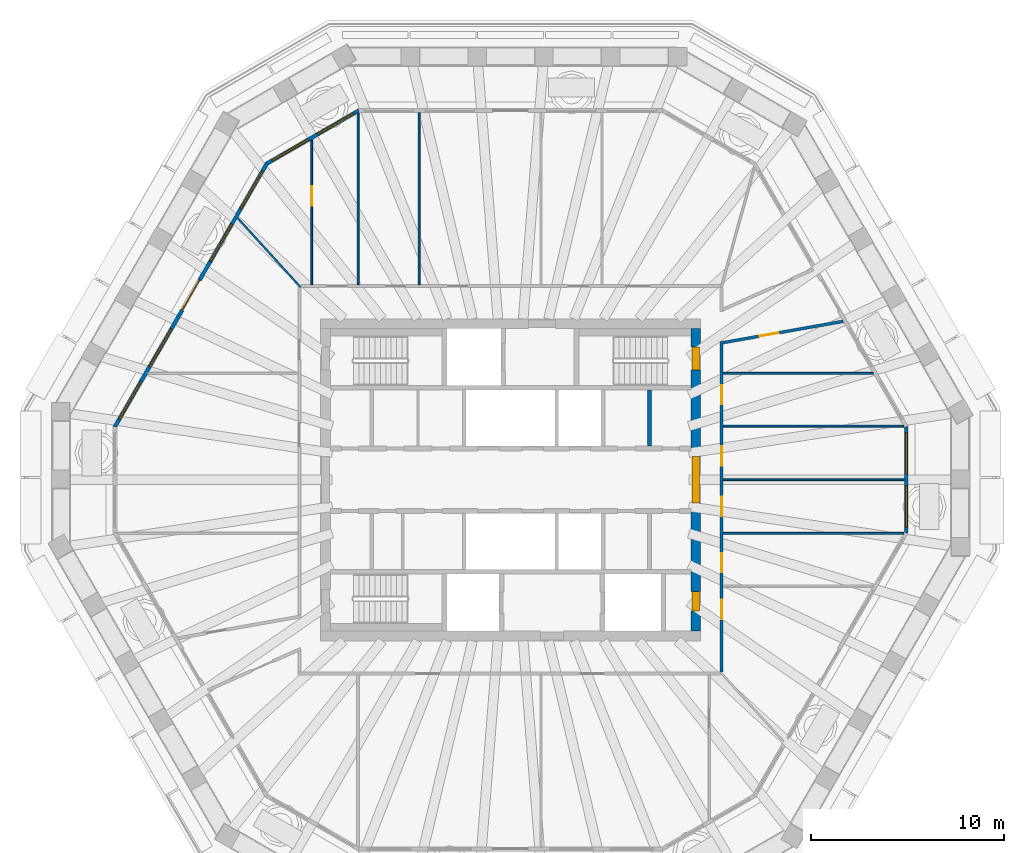
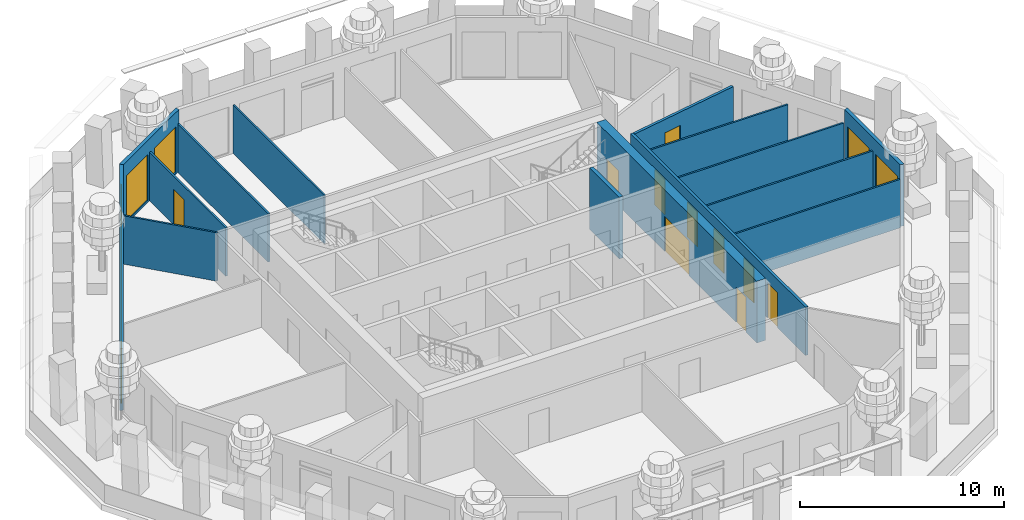
# One storey, part 6 of 13: 15 walls, 11 doors, 9 windows, 20 openings.
"""IFC4 building model written with IfcOpenShell, lengths in metres."""

from ifc_helpers import new_model, si_unit, direction, frame, frame_2d, origin, place, context, subcontext, project, spatial, polyline, rectangle, outline, extrude, material, layer, layer_set, type_object, element, fill, save


model = new_model("IFC4")

# Units and contexts
model_context = context("Model", 3, precision=1e-05, world=origin(), true_north=direction((0.0, 1.0)))
body_context = subcontext(model_context, "Body", "Model", "MODEL_VIEW")
ifc_project = project(units=[si_unit("LENGTHUNIT", "METRE"), si_unit("AREAUNIT", "SQUARE_METRE"), si_unit("VOLUMEUNIT", "CUBIC_METRE"), si_unit("PLANEANGLEUNIT", "RADIAN"), si_unit("MASSUNIT", "GRAM", prefix="KILO")], contexts=[model_context])

# Site, building, storey
site_placement = place(None, origin())
site = spatial("IfcSite", under=ifc_project, at=site_placement, CompositionType="ELEMENT")
building_placement = place(site_placement, origin())
building = spatial("IfcBuilding", under=site, at=building_placement, Name="Frailejon Research Tower", CompositionType="ELEMENT")
storey_placement = place(building_placement, frame((0.0, 0.0, 263.0)))
storey = spatial("IfcBuildingStorey", under=building, at=storey_placement, Name="L57", CompositionType="ELEMENT", Elevation=263.0)

# Wall, openings, doors
ifc_material_1 = material(Name="Concrete C50/60", Category="concrete")
ifc_layer_1 = layer(ifc_material_1, 0.5)
ifc_layer_set_1 = layer_set([ifc_layer_1], Name="Core shear wall 500 C50/60")
wall_type_1 = type_object("IfcWallType", Name="Core shear wall 500 C50/60", PredefinedType="SHEAR", material=ifc_layer_set_1)
wall_1_placement = place(storey_placement, frame((9.60009765625, -7.85009765625, 0.0), z_axis=(0.0, 0.0, 1.0), x_axis=(0.0, 1.0, 0.0)))
wall_1 = element("IfcWall", 1, at=wall_1_placement, inside=storey, type_object=wall_type_1, Name="Core shear wall", PredefinedType="SHEAR", context=body_context, shape_type="SweptSolid", body=[
    extrude(rectangle(XDim=15.7001953125, YDim=0.5, at=frame_2d((7.85009765625, 0.0))), origin(), (0.0, 0.0, 1.0), 3.699951171875),
])
opening_1_placement = place(wall_1_placement, frame((6.64990234375, 0.0, 0.0)))
opening_1 = element("IfcOpeningElement", 2, at=opening_1_placement, cuts=wall_1, Name="Opening D2", PredefinedType="OPENING", context=body_context, shape_type="SweptSolid", body=[
    extrude(rectangle(XDim=2.39990234375, YDim=2.10009765625, at=frame_2d((1.199951171875, 1.050048828125))), frame((0.0, 0.260009765625, 0.0), z_axis=(0.0, -1.0, 0.0), x_axis=(1.0, 0.0, 0.0)), (0.0, 0.0, 1.0), 0.52001953125),
])
opening_2_placement = place(wall_1_placement, frame((13.550048828125, 0.0, 0.0)))
opening_2 = element("IfcOpeningElement", 3, at=opening_2_placement, cuts=wall_1, Name="Opening D1", PredefinedType="OPENING", context=body_context, shape_type="SweptSolid", body=[
    extrude(rectangle(XDim=1.199951171875, YDim=2.10009765625, at=frame_2d((0.60009765625, 1.050048828125))), frame((0.0, 0.260009765625, 0.0), z_axis=(0.0, -1.0, 0.0), x_axis=(1.0, 0.0, 0.0)), (0.0, 0.0, 1.0), 0.52001953125),
])
opening_3_placement = place(wall_1_placement, frame((1.050048828125, 0.0, 0.0)))
opening_3 = element("IfcOpeningElement", 4, at=opening_3_placement, cuts=wall_1, Name="Opening D4", PredefinedType="OPENING", context=body_context, shape_type="SweptSolid", body=[
    extrude(rectangle(XDim=1.0, YDim=2.10009765625, at=frame_2d((0.5, 1.050048828125))), frame((0.0, 0.260009765625, 0.0), z_axis=(0.0, -1.0, 0.0), x_axis=(1.0, 0.0, 0.0)), (0.0, 0.0, 1.0), 0.52001953125),
])
ifc_material_2 = material(Name="Steel", Category="steel")
door_type_1 = type_object("IfcDoorType", Name="Lobby double door", OperationType="DOUBLE_DOOR_SINGLE_SWING", PredefinedType="DOOR", material=ifc_material_2)
door_1_placement = place(opening_1_placement, origin())
door_1 = element("IfcDoor", 5, at=door_1_placement, inside=storey, type_object=door_type_1, Name="Lobby door", OperationType="DOUBLE_DOOR_SINGLE_SWING", OverallHeight=2.10009765625, OverallWidth=2.39990234375, PredefinedType="DOOR", context=body_context, shape_type="SweptSolid", body=[
    extrude(rectangle(XDim=2.39990234375, YDim=2.10009765625, at=frame_2d((1.199951171875, 1.050048828125))), frame((0.0, 0.199951171875, 0.0), z_axis=(0.0, -1.0, 0.0), x_axis=(1.0, 0.0, 0.0)), (0.0, 0.0, 1.0), 0.39990234375),
])
fill(opening_1, door_1)
ifc_material_3 = material(Name="Steel", Category="steel")
door_type_2 = type_object("IfcDoorType", Name="Service door", OperationType="SINGLE_SWING_LEFT", PredefinedType="DOOR", material=ifc_material_3)
door_2_placement = place(opening_3_placement, origin())
door_2 = element("IfcDoor", 6, at=door_2_placement, inside=storey, type_object=door_type_2, Name="Riser door", OperationType="SINGLE_SWING_LEFT", OverallHeight=2.10009765625, OverallWidth=1.0, PredefinedType="DOOR", context=body_context, shape_type="SweptSolid", body=[
    extrude(rectangle(XDim=1.0, YDim=2.10009765625, at=frame_2d((0.5, 1.050048828125))), frame((0.0, 0.199951171875, 0.0), z_axis=(0.0, -1.0, 0.0), x_axis=(1.0, 0.0, 0.0)), (0.0, 0.0, 1.0), 0.39990234375),
])
fill(opening_3, door_2)
ifc_material_4 = material(Name="Steel", Category="steel")
door_type_3 = type_object("IfcDoorType", Name="Stair door", OperationType="SINGLE_SWING_LEFT", PredefinedType="DOOR", material=ifc_material_4)
door_3_placement = place(opening_2_placement, origin())
door_3 = element("IfcDoor", 7, at=door_3_placement, inside=storey, type_object=door_type_3, Name="Stair door ST3", OperationType="SINGLE_SWING_RIGHT", OverallHeight=2.10009765625, OverallWidth=1.199951171875, PredefinedType="DOOR", context=body_context, shape_type="SweptSolid", body=[
    extrude(rectangle(XDim=1.199951171875, YDim=2.10009765625, at=frame_2d((0.60009765625, 1.050048828125))), frame((0.0, 0.199951171875, 0.0), z_axis=(0.0, -1.0, 0.0), x_axis=(1.0, 0.0, 0.0)), (0.0, 0.0, 1.0), 0.39990234375),
])
fill(opening_2, door_3)

# Wall, opening, door
ifc_material_5 = material(Name="Gypsum board and masonry partition", Category="masonry")
ifc_layer_2 = layer(ifc_material_5, 0.14990234375)
ifc_layer_set_2 = layer_set([ifc_layer_2], Name="Corridor wall EI 60, gypsum on steel studs 150")
wall_type_2 = type_object("IfcWallType", Name="Corridor wall EI 60, gypsum on steel studs 150", PredefinedType="PARTITIONING", material=ifc_layer_set_2)
wall_2_placement = place(storey_placement, frame((11.023681640625, 7.113037109375, 0.0), z_axis=(0.0, 0.0, 1.0), x_axis=(0.984612128706, 0.174753987095, 0.0)))
wall_2 = element("IfcWall", 8, at=wall_2_placement, inside=storey, type_object=wall_type_2, Name="T:IW:L57:001", PredefinedType="PARTITIONING", context=body_context, shape_type="SweptSolid", body=[
    extrude(rectangle(XDim=6.325927734375, YDim=0.14990234375, at=frame_2d((3.1630859375, 0.0))), origin(), (0.0, 0.0, 1.0), 2.89990234375),
])
opening_4_placement = place(wall_2_placement, frame((1.920166015625, 0.0, 0.0)))
opening_4 = element("IfcOpeningElement", 9, at=opening_4_placement, cuts=wall_2, Name="Opening D2093", PredefinedType="OPENING", context=body_context, shape_type="SweptSolid", body=[
    extrude(rectangle(XDim=1.0, YDim=2.10009765625, at=frame_2d((0.5, 1.050048828125))), frame((0.0, 0.0849609375, 0.0), z_axis=(0.0, -1.0, 0.0), x_axis=(1.0, 0.0, 0.0)), (0.0, 0.0, 1.0), 0.169921875),
])
ifc_material_6 = material(Name="Timber door leaf", Category="wood")
door_type_4 = type_object("IfcDoorType", Name="Door single leaf, timber, steel frame 1000", OperationType="NOTDEFINED", PredefinedType="DOOR", material=ifc_material_6)
door_4_placement = place(opening_4_placement, origin())
door_4 = element("IfcDoor", 10, at=door_4_placement, inside=storey, type_object=door_type_4, Name="D2093", OperationType="SINGLE_SWING_RIGHT", OverallHeight=2.10009765625, OverallWidth=1.0, PredefinedType="DOOR", context=body_context, shape_type="SweptSolid", body=[
    extrude(rectangle(XDim=1.0, YDim=2.10009765625, at=frame_2d((0.5, 1.050048828125))), frame((0.0, 0.02490234375, 0.0), z_axis=(0.0, -1.0, 0.0), x_axis=(1.0, 0.0, 0.0)), (0.0, 0.0, 1.0), 0.050048828125),
])
fill(opening_4, door_4)

# Wall, openings, doors
wall_3_placement = place(storey_placement, frame((10.949951171875, -9.97509765625, 0.0), z_axis=(0.0, 0.0, 1.0), x_axis=(0.0, 1.0, 0.0)))
wall_3 = element("IfcWall", 11, at=wall_3_placement, inside=storey, type_object=wall_type_2, Name="T:IW:L57:003", PredefinedType="PARTITIONING", context=body_context, shape_type="SweptSolid", body=[
    extrude(rectangle(XDim=17.150146484375, YDim=0.14990234375, at=frame_2d((8.5751953125, 0.0))), origin(), (0.0, 0.0, 1.0), 2.89990234375),
])
opening_5_placement = place(wall_3_placement, frame((10.702392578125, 0.0, 0.0)))
opening_5 = element("IfcOpeningElement", 12, at=opening_5_placement, cuts=wall_3, Name="Opening D2091", PredefinedType="OPENING", context=body_context, shape_type="SweptSolid", body=[
    extrude(rectangle(XDim=1.0, YDim=2.10009765625, at=frame_2d((0.5, 1.050048828125))), frame((0.0, 0.0849609375, 0.0), z_axis=(0.0, -1.0, 0.0), x_axis=(1.0, 0.0, 0.0)), (0.0, 0.0, 1.0), 0.169921875),
])
opening_6_placement = place(wall_3_placement, frame((13.88232421875, 0.0, 0.0)))
opening_6 = element("IfcOpeningElement", 13, at=opening_6_placement, cuts=wall_3, Name="Opening D2092", PredefinedType="OPENING", context=body_context, shape_type="SweptSolid", body=[
    extrude(rectangle(XDim=1.0, YDim=2.10009765625, at=frame_2d((0.5, 1.050048828125))), frame((0.0, 0.0849609375, 0.0), z_axis=(0.0, -1.0, 0.0), x_axis=(1.0, 0.0, 0.0)), (0.0, 0.0, 1.0), 0.169921875),
])
opening_7_placement = place(wall_3_placement, frame((2.744384765625, 0.0, 0.0)))
opening_7 = element("IfcOpeningElement", 14, at=opening_7_placement, cuts=wall_3, Name="Opening D2108", PredefinedType="OPENING", context=body_context, shape_type="SweptSolid", body=[
    extrude(rectangle(XDim=1.0, YDim=2.10009765625, at=frame_2d((0.5, 1.050048828125))), frame((0.0, 0.0849609375, 0.0), z_axis=(0.0, -1.0, 0.0), x_axis=(1.0, 0.0, 0.0)), (0.0, 0.0, 1.0), 0.169921875),
])
opening_8_placement = place(wall_3_placement, frame((5.17138671875, 0.0, 0.0)))
opening_8 = element("IfcOpeningElement", 15, at=opening_8_placement, cuts=wall_3, Name="Opening D2109", PredefinedType="OPENING", context=body_context, shape_type="SweptSolid", body=[
    extrude(rectangle(XDim=1.0, YDim=2.10009765625, at=frame_2d((0.5, 1.050048828125))), frame((0.0, 0.0849609375, 0.0), z_axis=(0.0, -1.0, 0.0), x_axis=(1.0, 0.0, 0.0)), (0.0, 0.0, 1.0), 0.169921875),
])
opening_9_placement = place(wall_3_placement, frame((8.085693359375, 0.0, 0.0)))
opening_9 = element("IfcOpeningElement", 16, at=opening_9_placement, cuts=wall_3, Name="Opening D2110", PredefinedType="OPENING", context=body_context, shape_type="SweptSolid", body=[
    extrude(rectangle(XDim=1.0, YDim=2.10009765625, at=frame_2d((0.5, 1.050048828125))), frame((0.0, 0.0849609375, 0.0), z_axis=(0.0, -1.0, 0.0), x_axis=(1.0, 0.0, 0.0)), (0.0, 0.0, 1.0), 0.169921875),
])
door_5_placement = place(opening_5_placement, origin())
door_5 = element("IfcDoor", 17, at=door_5_placement, inside=storey, type_object=door_type_4, Name="D2091", OperationType="SINGLE_SWING_LEFT", OverallHeight=2.10009765625, OverallWidth=1.0, PredefinedType="DOOR", context=body_context, shape_type="SweptSolid", body=[
    extrude(rectangle(XDim=1.0, YDim=2.10009765625, at=frame_2d((0.5, 1.050048828125))), frame((0.0, 0.02490234375, 0.0), z_axis=(0.0, -1.0, 0.0), x_axis=(1.0, 0.0, 0.0)), (0.0, 0.0, 1.0), 0.050048828125),
])
fill(opening_5, door_5)
door_6_placement = place(opening_6_placement, origin())
door_6 = element("IfcDoor", 18, at=door_6_placement, inside=storey, type_object=door_type_4, Name="D2092", OperationType="SINGLE_SWING_LEFT", OverallHeight=2.10009765625, OverallWidth=1.0, PredefinedType="DOOR", context=body_context, shape_type="SweptSolid", body=[
    extrude(rectangle(XDim=1.0, YDim=2.10009765625, at=frame_2d((0.5, 1.050048828125))), frame((0.0, 0.02490234375, 0.0), z_axis=(0.0, -1.0, 0.0), x_axis=(1.0, 0.0, 0.0)), (0.0, 0.0, 1.0), 0.050048828125),
])
fill(opening_6, door_6)
door_7_placement = place(opening_7_placement, origin())
door_7 = element("IfcDoor", 19, at=door_7_placement, inside=storey, type_object=door_type_4, Name="D2108", OperationType="SINGLE_SWING_LEFT", OverallHeight=2.10009765625, OverallWidth=1.0, PredefinedType="DOOR", context=body_context, shape_type="SweptSolid", body=[
    extrude(rectangle(XDim=1.0, YDim=2.10009765625, at=frame_2d((0.5, 1.050048828125))), frame((0.0, 0.02490234375, 0.0), z_axis=(0.0, -1.0, 0.0), x_axis=(1.0, 0.0, 0.0)), (0.0, 0.0, 1.0), 0.050048828125),
])
fill(opening_7, door_7)
door_8_placement = place(opening_8_placement, origin())
door_8 = element("IfcDoor", 20, at=door_8_placement, inside=storey, type_object=door_type_4, Name="D2109", OperationType="SINGLE_SWING_RIGHT", OverallHeight=2.10009765625, OverallWidth=1.0, PredefinedType="DOOR", context=body_context, shape_type="SweptSolid", body=[
    extrude(rectangle(XDim=1.0, YDim=2.10009765625, at=frame_2d((0.5, 1.050048828125))), frame((0.0, 0.02490234375, 0.0), z_axis=(0.0, -1.0, 0.0), x_axis=(1.0, 0.0, 0.0)), (0.0, 0.0, 1.0), 0.050048828125),
])
fill(opening_8, door_8)
door_9_placement = place(opening_9_placement, origin())
door_9 = element("IfcDoor", 21, at=door_9_placement, inside=storey, type_object=door_type_4, Name="D2110", OperationType="SINGLE_SWING_LEFT", OverallHeight=2.10009765625, OverallWidth=1.0, PredefinedType="DOOR", context=body_context, shape_type="SweptSolid", body=[
    extrude(rectangle(XDim=1.0, YDim=2.10009765625, at=frame_2d((0.5, 1.050048828125))), frame((0.0, 0.02490234375, 0.0), z_axis=(0.0, -1.0, 0.0), x_axis=(1.0, 0.0, 0.0)), (0.0, 0.0, 1.0), 0.050048828125),
])
fill(opening_9, door_9)

# Walls
ifc_material_7 = material(Name="Gypsum board and masonry partition", Category="masonry")
ifc_layer_3 = layer(ifc_material_7, 0.10009765625)
ifc_layer_set_3 = layer_set([ifc_layer_3], Name="Partition, gypsum on steel studs 100")
wall_type_3 = type_object("IfcWallType", Name="Partition, gypsum on steel studs 100", PredefinedType="PARTITIONING", material=ifc_layer_set_3)
wall_4_placement = place(storey_placement, frame((11.02490234375, 2.778564453125, 0.0), z_axis=(0.0, 0.0, 1.0), x_axis=(1.0, 0.0, 0.0)))
element("IfcWall", 22, at=wall_4_placement, inside=storey, type_object=wall_type_3, Name="T:IW:L57:012", PredefinedType="PARTITIONING", context=body_context, shape_type="SweptSolid", body=[
    extrude(rectangle(XDim=9.367919921875, YDim=0.10009765625, at=frame_2d((4.68408203125, 0.0))), origin(), (0.0, 0.0, 1.0), 2.89990234375),
])
wall_5_placement = place(storey_placement, frame((11.02490234375, 0.0, 0.0), z_axis=(0.0, 0.0, 1.0), x_axis=(1.0, 0.0, 0.0)))
element("IfcWall", 23, at=wall_5_placement, inside=storey, type_object=wall_type_3, Name="T:IW:L57:013", PredefinedType="PARTITIONING", context=body_context, shape_type="SweptSolid", body=[
    extrude(rectangle(XDim=9.39892578125, YDim=0.10009765625, at=frame_2d((4.699462890625, 0.0))), origin(), (0.0, 0.0, 1.0), 2.89990234375),
])
wall_6_placement = place(storey_placement, frame((11.02490234375, 5.51708984375, 0.0), z_axis=(0.0, 0.0, 1.0), x_axis=(1.0, 0.0, 0.0)))
element("IfcWall", 24, at=wall_6_placement, inside=storey, type_object=wall_type_3, Name="T:IW:L57:015", PredefinedType="PARTITIONING", context=body_context, shape_type="SweptSolid", body=[
    extrude(rectangle(XDim=7.786865234375, YDim=0.10009765625, at=frame_2d((3.8935546875, 0.0))), origin(), (0.0, 0.0, 1.0), 2.89990234375),
])
wall_7_placement = place(storey_placement, frame((-4.743408203125, 10.125, 0.0), z_axis=(0.0, 0.0, 1.0), x_axis=(0.0, 1.0, 0.0)))
element("IfcWall", 25, at=wall_7_placement, inside=storey, type_object=wall_type_3, Name="T:IW:L57:020", PredefinedType="PARTITIONING", context=body_context, shape_type="SweptSolid", body=[
    extrude(rectangle(XDim=8.925048828125, YDim=0.10009765625, at=frame_2d((4.46240234375, 0.0))), origin(), (0.0, 0.0, 1.0), 2.89990234375),
])
wall_8_placement = place(storey_placement, frame((-7.90576171875, 10.125, 0.0), z_axis=(0.0, 0.0, 1.0), x_axis=(0.0, 1.0, 0.0)))
element("IfcWall", 26, at=wall_8_placement, inside=storey, type_object=wall_type_3, Name="T:IW:L57:021", PredefinedType="PARTITIONING", context=body_context, shape_type="SweptSolid", body=[
    extrude(rectangle(XDim=8.89404296875, YDim=0.10009765625, at=frame_2d((4.447021484375, 0.0))), origin(), (0.0, 0.0, 1.0), 2.89990234375),
])

# Wall, opening, door
wall_9_placement = place(storey_placement, frame((-10.31201171875, 10.125, 0.0), z_axis=(0.0, 0.0, 1.0), x_axis=(0.0, 1.0, 0.0)))
wall_9 = element("IfcWall", 27, at=wall_9_placement, inside=storey, type_object=wall_type_3, Name="T:IW:L57:022", PredefinedType="PARTITIONING", context=body_context, shape_type="SweptSolid", body=[
    extrude(rectangle(XDim=7.5048828125, YDim=0.10009765625, at=frame_2d((3.75244140625, 0.0))), origin(), (0.0, 0.0, 1.0), 2.89990234375),
])
opening_10_placement = place(wall_9_placement, frame((4.096923828125, 0.0, 0.0)))
opening_10 = element("IfcOpeningElement", 28, at=opening_10_placement, cuts=wall_9, Name="Opening D2100", PredefinedType="OPENING", context=body_context, shape_type="SweptSolid", body=[
    extrude(rectangle(XDim=1.0, YDim=2.10009765625, at=frame_2d((0.5, 1.050048828125))), frame((0.0, 0.06005859375, 0.0), z_axis=(0.0, -1.0, 0.0), x_axis=(1.0, 0.0, 0.0)), (0.0, 0.0, 1.0), 0.1201171875),
])
door_10_placement = place(opening_10_placement, origin())
door_10 = element("IfcDoor", 29, at=door_10_placement, inside=storey, type_object=door_type_4, Name="D2100", OperationType="SINGLE_SWING_LEFT", OverallHeight=2.10009765625, OverallWidth=1.0, PredefinedType="DOOR", context=body_context, shape_type="SweptSolid", body=[
    extrude(rectangle(XDim=1.0, YDim=2.10009765625, at=frame_2d((0.5, 1.050048828125))), frame((0.0, 0.02490234375, 0.0), z_axis=(0.0, -1.0, 0.0), x_axis=(1.0, 0.0, 0.0)), (0.0, 0.0, 1.0), 0.050048828125),
])
fill(opening_10, door_10)

# Walls
wall_10_placement = place(storey_placement, frame((-14.157958984375, 13.57763671875, 0.0), z_axis=(0.0, 0.0, 1.0), x_axis=(0.672790707388, -0.739832862241, 0.0)))
element("IfcWall", 30, at=wall_10_placement, inside=storey, type_object=wall_type_3, Name="T:IW:L57:023", PredefinedType="PARTITIONING", context=body_context, shape_type="SweptSolid", body=[
    extrude(rectangle(XDim=4.84326171875, YDim=0.10009765625, at=frame_2d((2.421630859375, 0.0))), origin(), (0.0, 0.0, 1.0), 2.89990234375),
])
wall_11_placement = place(storey_placement, frame((11.02490234375, -2.778564453125, 0.0), z_axis=(0.0, 0.0, 1.0), x_axis=(1.0, 0.0, 0.0)))
element("IfcWall", 31, at=wall_11_placement, inside=storey, type_object=wall_type_3, Name="T:IW:L57:025", PredefinedType="PARTITIONING", context=body_context, shape_type="SweptSolid", body=[
    extrude(rectangle(XDim=9.367919921875, YDim=0.10009765625, at=frame_2d((4.68408203125, 0.0))), origin(), (0.0, 0.0, 1.0), 2.89990234375),
])
ifc_material_8 = material(Name="Concrete C50/60", Category="concrete")
ifc_layer_4 = layer(ifc_material_8, 0.199951171875)
ifc_layer_set_4 = layer_set([ifc_layer_4], Name="Shaft wall 200 C50/60")
wall_type_4 = type_object("IfcWallType", Name="Shaft wall 200 C50/60", PredefinedType="SOLIDWALL", material=ifc_layer_set_4)
wall_12_placement = place(storey_placement, frame((7.199951171875, 1.75, 0.0), z_axis=(0.0, 0.0, 1.0), x_axis=(0.0, 1.0, 0.0)))
element("IfcWall", 32, at=wall_12_placement, inside=storey, type_object=wall_type_4, Name="Shaft wall", PredefinedType="SOLIDWALL", context=body_context, shape_type="SweptSolid", body=[
    extrude(rectangle(XDim=2.89990234375, YDim=0.199951171875, at=frame_2d((1.449951171875, 0.0))), origin(), (0.0, 0.0, 1.0), 3.699951171875),
])

# Wall, openings, windows
ifc_material_9 = material(Name="Concrete C40/50 precast window wall panel", Category="concrete")
ifc_layer_5 = layer(ifc_material_9, 0.199951171875)
ifc_layer_set_5 = layer_set([ifc_layer_5], Name="Window wall 200")
wall_type_5 = type_object("IfcWallType", Name="Window wall 200", PredefinedType="SOLIDWALL", material=ifc_layer_set_5)
wall_13_placement = place(storey_placement, frame((20.523681640625, -2.751708984375, 0.0), z_axis=(0.0, 0.0, 1.0), x_axis=(0.0, 1.0, 0.0)))
wall_13 = element("IfcWall", 33, at=wall_13_placement, inside=storey, type_object=wall_type_5, Name="Exterior wall L57", PredefinedType="SOLIDWALL", context=body_context, shape_type="SweptSolid", body=[
    extrude(outline(polyline([(-0.02685546875, -0.10009765625), (1.08447265625, -0.10009765625), (2.196044921875, -0.10009765625), (3.307373046875, -0.10009765625), (4.4189453125, -0.10009765625), (5.5302734375, -0.10009765625), (5.4765625, 0.10009765625), (4.38671875, 0.10009765625), (3.296630859375, 0.10009765625), (2.206787109375, 0.10009765625), (1.11669921875, 0.10009765625), (0.02685546875, 0.10009765625), (-0.02685546875, -0.10009765625)])), origin(), (0.0, 0.0, 1.0), 3.699951171875),
])
opening_11_placement = place(wall_13_placement, frame((0.30078125, 0.0, 0.10009765625)))
opening_11 = element("IfcOpeningElement", 34, at=opening_11_placement, cuts=wall_13, Name="Opening W22", PredefinedType="OPENING", context=body_context, shape_type="SweptSolid", body=[
    extrude(rectangle(XDim=2.14990234375, YDim=2.75, at=frame_2d((1.074951171875, 1.375))), frame((0.0, 0.10986328125, 0.0), z_axis=(0.0, -1.0, 0.0), x_axis=(1.0, 0.0, 0.0)), (0.0, 0.0, 1.0), 0.219970703125),
])
opening_12_placement = place(wall_13_placement, frame((3.052490234375, 0.0, 0.10009765625)))
opening_12 = element("IfcOpeningElement", 35, at=opening_12_placement, cuts=wall_13, Name="Opening W22", PredefinedType="OPENING", context=body_context, shape_type="SweptSolid", body=[
    extrude(rectangle(XDim=2.14990234375, YDim=2.75, at=frame_2d((1.074951171875, 1.375))), frame((0.0, 0.10986328125, 0.0), z_axis=(0.0, -1.0, 0.0), x_axis=(1.0, 0.0, 0.0)), (0.0, 0.0, 1.0), 0.219970703125),
])
ifc_material_10 = material(Name="Aluminium framed double glazing", Category="aluminium")
window_type_1 = type_object("IfcWindowType", Name="Window 2150x2750", PartitioningType="SINGLE_PANEL", PredefinedType="WINDOW", material=ifc_material_10)
window_1_placement = place(opening_11_placement, origin())
window_1 = element("IfcWindow", 36, at=window_1_placement, inside=storey, type_object=window_type_1, Name="Window L57", OverallHeight=2.75, OverallWidth=2.14990234375, PartitioningType="SINGLE_PANEL", PredefinedType="WINDOW", context=body_context, shape_type="SweptSolid", body=[
    extrude(rectangle(XDim=2.14990234375, YDim=2.75, at=frame_2d((1.074951171875, 1.375))), frame((0.0, 0.030029296875, 0.0), z_axis=(0.0, -1.0, 0.0), x_axis=(1.0, 0.0, 0.0)), (0.0, 0.0, 1.0), 0.06005859375),
])
fill(opening_11, window_1)
window_2_placement = place(opening_12_placement, origin())
window_2 = element("IfcWindow", 37, at=window_2_placement, inside=storey, type_object=window_type_1, Name="Window L57", OverallHeight=2.75, OverallWidth=2.14990234375, PartitioningType="SINGLE_PANEL", PredefinedType="WINDOW", context=body_context, shape_type="SweptSolid", body=[
    extrude(rectangle(XDim=2.14990234375, YDim=2.75, at=frame_2d((1.074951171875, 1.375))), frame((0.0, 0.030029296875, 0.0), z_axis=(0.0, -1.0, 0.0), x_axis=(1.0, 0.0, 0.0)), (0.0, 0.0, 1.0), 0.06005859375),
])
fill(opening_12, window_2)

wall_14_placement = place(storey_placement, frame((-7.87890625, 19.14990234375, 0.0), z_axis=(0.0, 0.0, 1.0), x_axis=(-0.866026017613, -0.499998936816, 0.0)))
wall_14 = element("IfcWall", 38, at=wall_14_placement, inside=storey, type_object=wall_type_5, Name="Exterior wall L57", PredefinedType="SOLIDWALL", context=body_context, shape_type="SweptSolid", body=[
    extrude(outline(polyline([(-0.02685546875, -0.10009765625), (1.08447265625, -0.10009765625), (2.196044921875, -0.10009765625), (3.307373046875, -0.10009765625), (4.4189453125, -0.10009765625), (5.5302734375, -0.10009765625), (5.4765625, 0.10009765625), (4.38671875, 0.10009765625), (3.296630859375, 0.10009765625), (2.206787109375, 0.10009765625), (1.11669921875, 0.10009765625), (0.02685546875, 0.10009765625), (-0.02685546875, -0.10009765625)])), origin(), (0.0, 0.0, 1.0), 3.699951171875),
])
opening_13_placement = place(wall_14_placement, frame((0.30078125, 0.0, 0.10009765625)))
opening_13 = element("IfcOpeningElement", 39, at=opening_13_placement, cuts=wall_14, Name="Opening W22", PredefinedType="OPENING", context=body_context, shape_type="SweptSolid", body=[
    extrude(rectangle(XDim=2.14990234375, YDim=2.75, at=frame_2d((1.074951171875, 1.375))), frame((0.0, 0.10986328125, 0.0), z_axis=(0.0, -1.0, 0.0), x_axis=(1.0, 0.0, 0.0)), (0.0, 0.0, 1.0), 0.219970703125),
])
opening_14_placement = place(wall_14_placement, frame((3.052490234375, 0.0, 0.10009765625)))
opening_14 = element("IfcOpeningElement", 40, at=opening_14_placement, cuts=wall_14, Name="Opening W22", PredefinedType="OPENING", context=body_context, shape_type="SweptSolid", body=[
    extrude(rectangle(XDim=2.14990234375, YDim=2.75, at=frame_2d((1.074951171875, 1.375))), frame((0.0, 0.10986328125, 0.0), z_axis=(0.0, -1.0, 0.0), x_axis=(1.0, 0.0, 0.0)), (0.0, 0.0, 1.0), 0.219970703125),
])
window_3_placement = place(opening_13_placement, origin())
window_3 = element("IfcWindow", 41, at=window_3_placement, inside=storey, type_object=window_type_1, Name="Window L57", OverallHeight=2.75, OverallWidth=2.14990234375, PartitioningType="SINGLE_PANEL", PredefinedType="WINDOW", context=body_context, shape_type="SweptSolid", body=[
    extrude(rectangle(XDim=2.14990234375, YDim=2.75, at=frame_2d((1.074951171875, 1.375))), frame((0.0, 0.030029296875, 0.0), z_axis=(0.0, -1.0, 0.0), x_axis=(1.0, 0.0, 0.0)), (0.0, 0.0, 1.0), 0.06005859375),
])
fill(opening_13, window_3)
window_4_placement = place(opening_14_placement, origin())
window_4 = element("IfcWindow", 42, at=window_4_placement, inside=storey, type_object=window_type_1, Name="Window L57", OverallHeight=2.75, OverallWidth=2.14990234375, PartitioningType="SINGLE_PANEL", PredefinedType="WINDOW", context=body_context, shape_type="SweptSolid", body=[
    extrude(rectangle(XDim=2.14990234375, YDim=2.75, at=frame_2d((1.074951171875, 1.375))), frame((0.0, 0.030029296875, 0.0), z_axis=(0.0, -1.0, 0.0), x_axis=(1.0, 0.0, 0.0)), (0.0, 0.0, 1.0), 0.06005859375),
])
fill(opening_14, window_4)

# Wall, openings, door, windows
wall_15_placement = place(storey_placement, frame((-12.64501953125, 16.398193359375, 0.0), z_axis=(0.0, 0.0, 1.0), x_axis=(-0.499993368965, -0.86602923218, 0.0)))
wall_15 = element("IfcWall", 43, at=wall_15_placement, inside=storey, type_object=wall_type_5, Name="Exterior wall L57", PredefinedType="SOLIDWALL", context=body_context, shape_type="SweptSolid", body=[
    extrude(outline(polyline([(-0.02685546875, -0.10009765625), (1.02734375, -0.10009765625), (2.081298828125, -0.10009765625), (3.135498046875, -0.10009765625), (4.189453125, -0.10009765625), (5.24365234375, -0.10009765625), (6.297607421875, -0.10009765625), (7.351806640625, -0.10009765625), (8.40576171875, -0.10009765625), (9.4599609375, -0.10009765625), (10.513916015625, -0.10009765625), (11.568115234375, -0.10009765625), (12.6220703125, -0.10009765625), (13.67626953125, -0.10009765625), (14.730224609375, -0.10009765625), (15.784423828125, -0.10009765625), (15.730712890625, 0.10009765625), (14.683837890625, 0.10009765625), (13.636962890625, 0.10009765625), (12.58984375, 0.10009765625), (11.54296875, 0.10009765625), (10.49609375, 0.10009765625), (9.44921875, 0.10009765625), (8.40234375, 0.10009765625), (7.355224609375, 0.10009765625), (6.308349609375, 0.10009765625), (5.261474609375, 0.10009765625), (4.214599609375, 0.10009765625), (3.167724609375, 0.10009765625), (2.12060546875, 0.10009765625), (1.07373046875, 0.10009765625), (0.02685546875, 0.10009765625), (-0.02685546875, -0.10009765625)])), origin(), (0.0, 0.0, 1.0), 3.699951171875),
])
opening_15_placement = place(wall_15_placement, frame((0.45068359375, 0.0, 0.10009765625)))
opening_15 = element("IfcOpeningElement", 44, at=opening_15_placement, cuts=wall_15, Name="Opening W23", PredefinedType="OPENING", context=body_context, shape_type="SweptSolid", body=[
    extrude(rectangle(XDim=2.25, YDim=2.75, at=frame_2d((1.125, 1.375))), frame((0.0, 0.10986328125, 0.0), z_axis=(0.0, -1.0, 0.0), x_axis=(1.0, 0.0, 0.0)), (0.0, 0.0, 1.0), 0.219970703125),
])
opening_16_placement = place(wall_15_placement, frame((3.602294921875, 0.0, 0.10009765625)))
opening_16 = element("IfcOpeningElement", 45, at=opening_16_placement, cuts=wall_15, Name="Opening W23", PredefinedType="OPENING", context=body_context, shape_type="SweptSolid", body=[
    extrude(rectangle(XDim=2.25, YDim=2.75, at=frame_2d((1.125, 1.375))), frame((0.0, 0.10986328125, 0.0), z_axis=(0.0, -1.0, 0.0), x_axis=(1.0, 0.0, 0.0)), (0.0, 0.0, 1.0), 0.219970703125),
])
opening_17_placement = place(wall_15_placement, frame((6.97900390625, 0.0, 0.0)))
opening_17 = element("IfcOpeningElement", 46, at=opening_17_placement, cuts=wall_15, Name="Opening LG57-3", PredefinedType="OPENING", context=body_context, shape_type="SweptSolid", body=[
    extrude(rectangle(XDim=1.800048828125, YDim=2.39990234375, at=frame_2d((0.89990234375, 1.199951171875))), frame((0.0, 0.10986328125, 0.0), z_axis=(0.0, -1.0, 0.0), x_axis=(1.0, 0.0, 0.0)), (0.0, 0.0, 1.0), 0.219970703125),
])
opening_18_placement = place(wall_15_placement, frame((6.97900390625, 0.0, 2.550048828125)))
opening_18 = element("IfcOpeningElement", 47, at=opening_18_placement, cuts=wall_15, Name="Opening W24", PredefinedType="OPENING", context=body_context, shape_type="SweptSolid", body=[
    extrude(rectangle(XDim=1.800048828125, YDim=0.300048828125, at=frame_2d((0.89990234375, 0.14990234375))), frame((0.0, 0.10986328125, 0.0), z_axis=(0.0, -1.0, 0.0), x_axis=(1.0, 0.0, 0.0)), (0.0, 0.0, 1.0), 0.219970703125),
])
opening_19_placement = place(wall_15_placement, frame((9.905517578125, 0.0, 0.10009765625)))
opening_19 = element("IfcOpeningElement", 48, at=opening_19_placement, cuts=wall_15, Name="Opening W23", PredefinedType="OPENING", context=body_context, shape_type="SweptSolid", body=[
    extrude(rectangle(XDim=2.25, YDim=2.75, at=frame_2d((1.125, 1.375))), frame((0.0, 0.10986328125, 0.0), z_axis=(0.0, -1.0, 0.0), x_axis=(1.0, 0.0, 0.0)), (0.0, 0.0, 1.0), 0.219970703125),
])
opening_20_placement = place(wall_15_placement, frame((13.056884765625, 0.0, 0.10009765625)))
opening_20 = element("IfcOpeningElement", 49, at=opening_20_placement, cuts=wall_15, Name="Opening W23", PredefinedType="OPENING", context=body_context, shape_type="SweptSolid", body=[
    extrude(rectangle(XDim=2.25, YDim=2.75, at=frame_2d((1.125, 1.375))), frame((0.0, 0.10986328125, 0.0), z_axis=(0.0, -1.0, 0.0), x_axis=(1.0, 0.0, 0.0)), (0.0, 0.0, 1.0), 0.219970703125),
])
ifc_material_11 = material(Name="Aluminium framed glazed door leaf", Category="aluminium")
door_type_5 = type_object("IfcDoorType", Name="Loggia door 1800x2400", OperationType="DOUBLE_DOOR_SINGLE_SWING", PredefinedType="DOOR", material=ifc_material_11)
door_11_placement = place(opening_17_placement, origin())
door_11 = element("IfcDoor", 50, at=door_11_placement, inside=storey, type_object=door_type_5, Name="Door LG57-3", OperationType="DOUBLE_DOOR_SINGLE_SWING", OverallHeight=2.39990234375, OverallWidth=1.800048828125, PredefinedType="DOOR", context=body_context, shape_type="SweptSolid", body=[
    extrude(rectangle(XDim=1.800048828125, YDim=2.39990234375, at=frame_2d((0.89990234375, 1.199951171875))), frame((0.0, 0.02490234375, 0.0), z_axis=(0.0, -1.0, 0.0), x_axis=(1.0, 0.0, 0.0)), (0.0, 0.0, 1.0), 0.050048828125),
])
fill(opening_17, door_11)
ifc_material_12 = material(Name="Aluminium framed double glazing", Category="aluminium")
window_type_2 = type_object("IfcWindowType", Name="Window 1800x300", PartitioningType="SINGLE_PANEL", PredefinedType="WINDOW", material=ifc_material_12)
window_5_placement = place(opening_18_placement, origin())
window_5 = element("IfcWindow", 51, at=window_5_placement, inside=storey, type_object=window_type_2, Name="Window L57", OverallHeight=0.300048828125, OverallWidth=1.800048828125, PartitioningType="SINGLE_PANEL", PredefinedType="WINDOW", context=body_context, shape_type="SweptSolid", body=[
    extrude(rectangle(XDim=1.800048828125, YDim=0.300048828125, at=frame_2d((0.89990234375, 0.14990234375))), frame((0.0, 0.030029296875, 0.0), z_axis=(0.0, -1.0, 0.0), x_axis=(1.0, 0.0, 0.0)), (0.0, 0.0, 1.0), 0.06005859375),
])
fill(opening_18, window_5)
ifc_material_13 = material(Name="Aluminium framed double glazing", Category="aluminium")
window_type_3 = type_object("IfcWindowType", Name="Window 2250x2750", PartitioningType="SINGLE_PANEL", PredefinedType="WINDOW", material=ifc_material_13)
window_6_placement = place(opening_15_placement, origin())
window_6 = element("IfcWindow", 52, at=window_6_placement, inside=storey, type_object=window_type_3, Name="Window L57", OverallHeight=2.75, OverallWidth=2.25, PartitioningType="SINGLE_PANEL", PredefinedType="WINDOW", context=body_context, shape_type="SweptSolid", body=[
    extrude(rectangle(XDim=2.25, YDim=2.75, at=frame_2d((1.125, 1.375))), frame((0.0, 0.030029296875, 0.0), z_axis=(0.0, -1.0, 0.0), x_axis=(1.0, 0.0, 0.0)), (0.0, 0.0, 1.0), 0.06005859375),
])
fill(opening_15, window_6)
window_7_placement = place(opening_16_placement, origin())
window_7 = element("IfcWindow", 53, at=window_7_placement, inside=storey, type_object=window_type_3, Name="Window L57", OverallHeight=2.75, OverallWidth=2.25, PartitioningType="SINGLE_PANEL", PredefinedType="WINDOW", context=body_context, shape_type="SweptSolid", body=[
    extrude(rectangle(XDim=2.25, YDim=2.75, at=frame_2d((1.125, 1.375))), frame((0.0, 0.030029296875, 0.0), z_axis=(0.0, -1.0, 0.0), x_axis=(1.0, 0.0, 0.0)), (0.0, 0.0, 1.0), 0.06005859375),
])
fill(opening_16, window_7)
window_8_placement = place(opening_19_placement, origin())
window_8 = element("IfcWindow", 54, at=window_8_placement, inside=storey, type_object=window_type_3, Name="Window L57", OverallHeight=2.75, OverallWidth=2.25, PartitioningType="SINGLE_PANEL", PredefinedType="WINDOW", context=body_context, shape_type="SweptSolid", body=[
    extrude(rectangle(XDim=2.25, YDim=2.75, at=frame_2d((1.125, 1.375))), frame((0.0, 0.030029296875, 0.0), z_axis=(0.0, -1.0, 0.0), x_axis=(1.0, 0.0, 0.0)), (0.0, 0.0, 1.0), 0.06005859375),
])
fill(opening_19, window_8)
window_9_placement = place(opening_20_placement, origin())
window_9 = element("IfcWindow", 55, at=window_9_placement, inside=storey, type_object=window_type_3, Name="Window L57", OverallHeight=2.75, OverallWidth=2.25, PartitioningType="SINGLE_PANEL", PredefinedType="WINDOW", context=body_context, shape_type="SweptSolid", body=[
    extrude(rectangle(XDim=2.25, YDim=2.75, at=frame_2d((1.125, 1.375))), frame((0.0, 0.030029296875, 0.0), z_axis=(0.0, -1.0, 0.0), x_axis=(1.0, 0.0, 0.0)), (0.0, 0.0, 1.0), 0.06005859375),
])
fill(opening_20, window_9)

save(model, "model.ifc")
